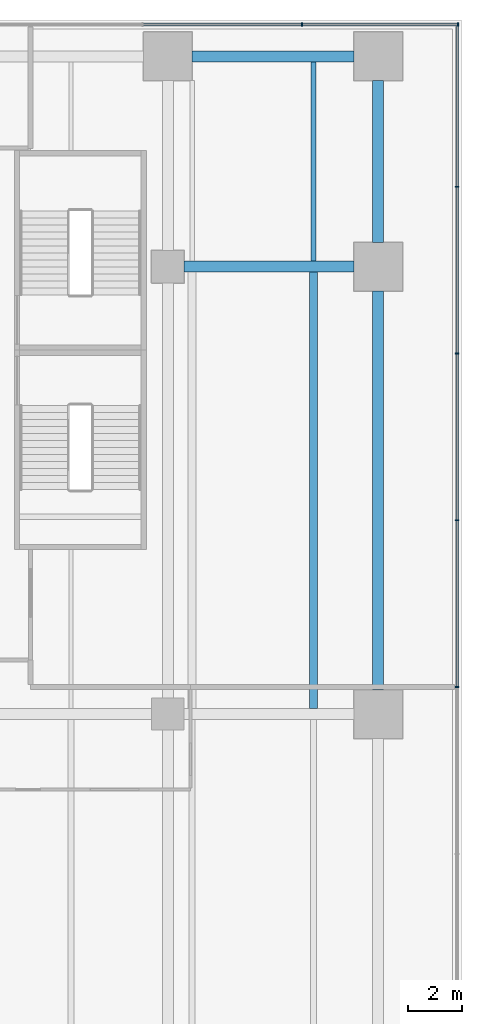
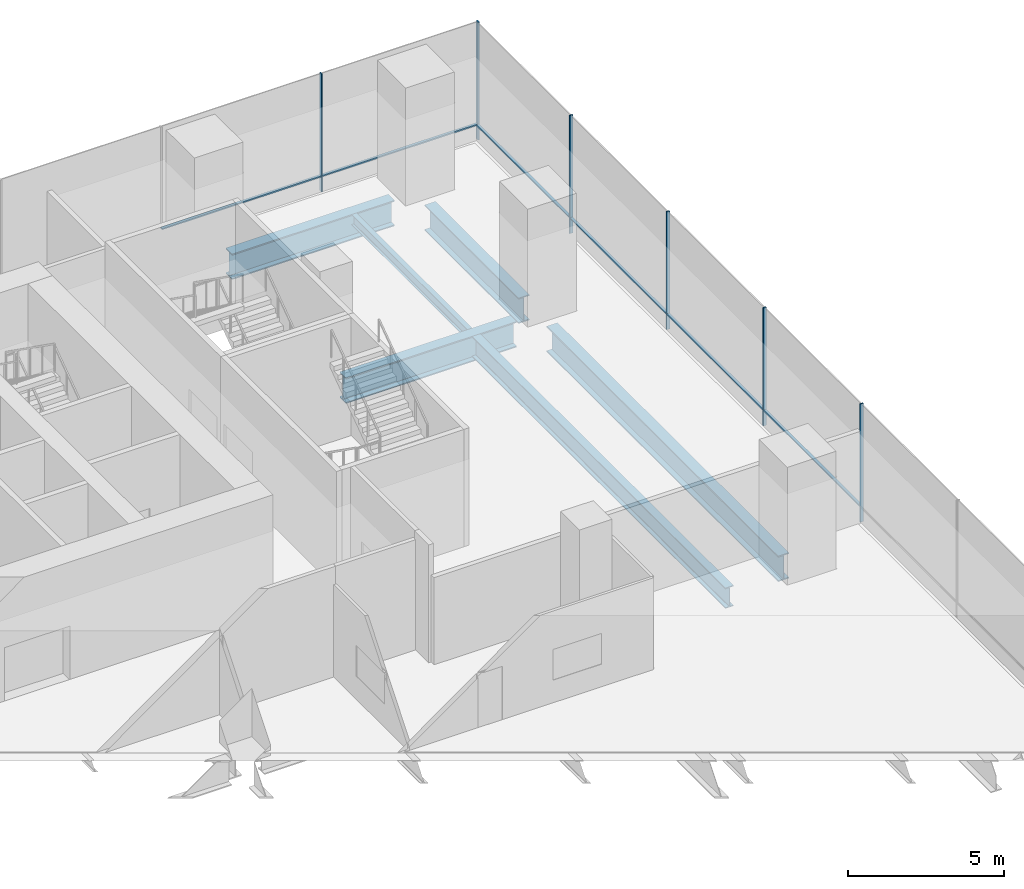
# One storey, part 16 of 29: 12 members, 6 beams, 2 elements without a shape of their own.
"""IFC4 building model written with IfcOpenShell, lengths in metres."""

from ifc_helpers import new_model, si_unit, direction, frame, origin, origin_2d, place, context, subcontext, project, spatial, rectangle, i_section, extrude, material, layer, layer_set, material_profile, profile_set, type_object, element, aggregate, save


model = new_model("IFC4")

# Units and contexts
model_context = context("Model", 3, precision=1e-05, world=origin(), true_north=direction((0.0, 1.0)))
body_context = subcontext(model_context, "Body", "Model", "MODEL_VIEW")
ifc_project = project(units=[si_unit("LENGTHUNIT", "METRE"), si_unit("AREAUNIT", "SQUARE_METRE"), si_unit("VOLUMEUNIT", "CUBIC_METRE"), si_unit("PLANEANGLEUNIT", "RADIAN"), si_unit("MASSUNIT", "GRAM", prefix="KILO")], contexts=[model_context])

# Site, building, storey
site_placement = place(None, origin())
site = spatial("IfcSite", under=ifc_project, at=site_placement, CompositionType="ELEMENT")
building_placement = place(site_placement, origin())
building = spatial("IfcBuilding", under=site, at=building_placement, Name="Rattan Terrace Tower", CompositionType="ELEMENT")
storey_placement = place(building_placement, frame((0.0, 0.0, 12.60009765625)))
storey = spatial("IfcBuildingStorey", under=building, at=storey_placement, Name="L02", CompositionType="ELEMENT", Elevation=12.60009765625)

# Beams
ifc_material_1 = material(Name="Steel S355", Category="steel")
ifc_material_profile_1 = material_profile(ifc_material_1, i_section(OverallWidth=0.300048828125, OverallDepth=0.800048828125, WebThickness=0.017578125, FlangeThickness=0.032958984375, FilletRadius=0.030029296875, at=origin_2d()), Name="HE 800 B")
ifc_profile_set_1 = profile_set([ifc_material_profile_1], Name="Steel S355")
beam_type_1 = type_object("IfcBeamType", Name="Frame floor beam HE 800 B", PredefinedType="JOIST", material=ifc_profile_set_1)
beam_1_placement = place(storey_placement, frame((31.5, -13.300048828125, -0.60009765625), z_axis=(0.0, 1.0, 0.0), x_axis=(-1.0, 0.0, 0.0)))
element("IfcBeam", 1, at=beam_1_placement, inside=storey, type_object=beam_type_1, Name="bm-L02-038", PredefinedType="JOIST", context=body_context, shape_type="SweptSolid", body=[
    extrude(i_section(OverallWidth=0.300048828125, OverallDepth=0.800048828125, WebThickness=0.017578125, FlangeThickness=0.032958984375, FilletRadius=0.030029296875, at=origin_2d()), origin(), (0.0, 0.0, 1.0), 16.199951171875),
])
ifc_material_2 = material(Name="Steel S355", Category="steel")
ifc_material_profile_2 = material_profile(ifc_material_2, i_section(OverallWidth=0.179931640625, OverallDepth=0.39990234375, WebThickness=0.008544921875, FlangeThickness=0.013427734375, FilletRadius=0.02099609375, at=origin_2d()), Name="IPE 400")
ifc_profile_set_2 = profile_set([ifc_material_profile_2], Name="Steel S355")
beam_type_2 = type_object("IfcBeamType", Name="Frame floor beam IPE 400", PredefinedType="JOIST", material=ifc_profile_set_2)
beam_2_placement = place(storey_placement, frame((31.5, 3.300048828125, -0.400146484375), z_axis=(0.0, 1.0, 0.0), x_axis=(-1.0, 0.0, 0.0)))
element("IfcBeam", 2, at=beam_2_placement, inside=storey, type_object=beam_type_2, Name="bm-L02-042", PredefinedType="JOIST", context=body_context, shape_type="SweptSolid", body=[
    extrude(i_section(OverallWidth=0.179931640625, OverallDepth=0.39990234375, WebThickness=0.008544921875, FlangeThickness=0.013427734375, FilletRadius=0.02099609375, at=origin_2d()), origin(), (0.0, 0.0, 1.0), 7.39990234375),
])
ifc_material_3 = material(Name="Steel S460", Category="steel")
ifc_material_profile_3 = material_profile(ifc_material_3, i_section(OverallWidth=0.39990234375, OverallDepth=1.0, WebThickness=0.01806640625, FlangeThickness=0.044921875, at=origin_2d()), Name="PG 1000x400-18-45")
ifc_profile_set_3 = profile_set([ifc_material_profile_3], Name="Steel S460")
beam_type_3 = type_object("IfcBeamType", Name="Frame podium girder PG 1000x400-18-45", PredefinedType="USERDEFINED", material=ifc_profile_set_3)
beam_3_placement = place(storey_placement, frame((33.89990234375, -12.60009765625, -0.7001953125), z_axis=(0.0, 1.0, 0.0), x_axis=(-1.0, 0.0, 0.0)))
element("IfcBeam", 3, at=beam_3_placement, inside=storey, type_object=beam_type_3, Name="gdr-L02-039", ObjectType="PODIUM GIRDER", PredefinedType="USERDEFINED", context=body_context, shape_type="SweptSolid", body=[
    extrude(i_section(OverallWidth=0.39990234375, OverallDepth=1.0, WebThickness=0.01806640625, FlangeThickness=0.044921875, at=origin_2d()), origin(), (0.0, 0.0, 1.0), 14.800048828125),
])
beam_4_placement = place(storey_placement, frame((26.699951171875, 3.10009765625, -0.7001953125), z_axis=(1.0, 0.0, 0.0), x_axis=(0.0, 1.0, 0.0)))
element("IfcBeam", 4, at=beam_4_placement, inside=storey, type_object=beam_type_3, Name="gdr-L02-041", ObjectType="PODIUM GIRDER", PredefinedType="USERDEFINED", context=body_context, shape_type="SweptSolid", body=[
    extrude(i_section(OverallWidth=0.39990234375, OverallDepth=1.0, WebThickness=0.01806640625, FlangeThickness=0.044921875, at=origin_2d()), origin(), (0.0, 0.0, 1.0), 6.300048828125),
])
for number, where, z_axis, x_axis, name in (
    (5, (33.89990234375, 4.0, -0.7001953125), (0.0, 1.0, 0.0), (-1.0, 0.0, 0.0), "gdr-L02-045"),
    (6, (27.0, 10.89990234375, -0.7001953125), (1.0, 0.0, 0.0), (0.0, 1.0, 0.0), "gdr-L02-051"),
):
    element("IfcBeam", number, at=place(storey_placement, frame(where, z_axis=z_axis, x_axis=x_axis)), inside=storey, type_object=beam_type_3, Name=name, ObjectType="PODIUM GIRDER", PredefinedType="USERDEFINED", context=body_context, shape_type="SweptSolid", body=[
        extrude(i_section(OverallWidth=0.39990234375, OverallDepth=1.0, WebThickness=0.01806640625, FlangeThickness=0.044921875, at=origin_2d()), origin(), (0.0, 0.0, 1.0), 6.0),
    ])

# Curtain wall, members
ifc_material_4 = material(Name="Aluminium and glass", Category="aluminium")
ifc_layer = layer(ifc_material_4, 0.1201171875)
ifc_layer_set = layer_set([ifc_layer], Name="Station Storefront Curtain Wall")
curtain_wall_type = type_object("IfcCurtainWallType", Name="Station Storefront Curtain Wall", PredefinedType="NOTDEFINED", material=ifc_layer_set)
curtain_wall_1_placement = place(storey_placement, origin())
curtain_wall_1 = element("IfcCurtainWall", 7, at=curtain_wall_1_placement, inside=storey, type_object=curtain_wall_type, Name="Storefront curtain wall L02-1", PredefinedType="NOTDEFINED")
ifc_material_5 = material(Name="Aluminium", Category="aluminium")
ifc_material_profile_4 = material_profile(ifc_material_5, rectangle(XDim=0.050048828125, YDim=0.1201171875, at=origin_2d()), Name="Aluminium 50x120")
ifc_profile_set_4 = profile_set([ifc_material_profile_4], Name="Aluminium")
member_type_1 = type_object("IfcMemberType", Name="Storefront CW Mullion 50x120", PredefinedType="MULLION", material=ifc_profile_set_4)
member_1_placement = place(storey_placement, frame((36.830078125, -12.498046875, 0.0), z_axis=(0.0, 0.0, 1.0), x_axis=(0.0, 1.0, 0.0)))
member_1 = element("IfcMember", 8, at=member_1_placement, type_object=member_type_1, Name="Mullion cwl-L02-001.5", PredefinedType="MULLION", context=body_context, shape_type="SweptSolid", body=[
    extrude(rectangle(XDim=0.050048828125, YDim=0.1201171875, at=origin_2d()), origin(), (0.0, 0.0, 1.0), 4.599853515625),
])
member_2_placement = place(storey_placement, frame((36.830078125, -6.31005859375, 0.0), z_axis=(0.0, 0.0, 1.0), x_axis=(0.0, 1.0, 0.0)))
member_2 = element("IfcMember", 9, at=member_2_placement, type_object=member_type_1, Name="Mullion cwl-L02-001.6", PredefinedType="MULLION", context=body_context, shape_type="SweptSolid", body=[
    extrude(rectangle(XDim=0.050048828125, YDim=0.1201171875, at=origin_2d()), origin(), (0.0, 0.0, 1.0), 4.599853515625),
])
member_3_placement = place(storey_placement, frame((36.830078125, -0.1220703125, 0.0), z_axis=(0.0, 0.0, 1.0), x_axis=(0.0, 1.0, 0.0)))
member_3 = element("IfcMember", 10, at=member_3_placement, type_object=member_type_1, Name="Mullion cwl-L02-001.7", PredefinedType="MULLION", context=body_context, shape_type="SweptSolid", body=[
    extrude(rectangle(XDim=0.050048828125, YDim=0.1201171875, at=origin_2d()), origin(), (0.0, 0.0, 1.0), 4.599853515625),
])
member_4_placement = place(storey_placement, frame((36.830078125, 6.06591796875, 0.0), z_axis=(0.0, 0.0, 1.0), x_axis=(0.0, 1.0, 0.0)))
member_4 = element("IfcMember", 11, at=member_4_placement, type_object=member_type_1, Name="Mullion cwl-L02-001.8", PredefinedType="MULLION", context=body_context, shape_type="SweptSolid", body=[
    extrude(rectangle(XDim=0.050048828125, YDim=0.1201171875, at=origin_2d()), origin(), (0.0, 0.0, 1.0), 4.599853515625),
])

curtain_wall_2_placement = place(storey_placement, origin())
curtain_wall_2 = element("IfcCurtainWall", 12, at=curtain_wall_2_placement, inside=storey, type_object=curtain_wall_type, Name="Storefront curtain wall L02-2", PredefinedType="NOTDEFINED")
member_5_placement = place(storey_placement, frame((36.864990234375, 12.080078125, 0.0), z_axis=(0.0, 0.0, 1.0), x_axis=(-1.0, 0.0, 0.0)))
member_5 = element("IfcMember", 13, at=member_5_placement, type_object=member_type_1, Name="Mullion cwl-L02-002.1", PredefinedType="MULLION", context=body_context, shape_type="SweptSolid", body=[
    extrude(rectangle(XDim=0.050048828125, YDim=0.1201171875, at=origin_2d()), origin(), (0.0, 0.0, 1.0), 4.599853515625),
])
member_6_placement = place(storey_placement, frame((31.080078125, 12.080078125, 0.0), z_axis=(0.0, 0.0, 1.0), x_axis=(-1.0, 0.0, 0.0)))
member_6 = element("IfcMember", 14, at=member_6_placement, type_object=member_type_1, Name="Mullion cwl-L02-002.2", PredefinedType="MULLION", context=body_context, shape_type="SweptSolid", body=[
    extrude(rectangle(XDim=0.050048828125, YDim=0.1201171875, at=origin_2d()), origin(), (0.0, 0.0, 1.0), 4.599853515625),
])

# Member
ifc_material_6 = material(Name="Aluminium", Category="aluminium")
ifc_material_profile_5 = material_profile(ifc_material_6, rectangle(XDim=0.10009765625, YDim=0.050048828125, at=origin_2d()), Name="Aluminium 100x50")
ifc_profile_set_5 = profile_set([ifc_material_profile_5], Name="Aluminium")
member_type_2 = type_object("IfcMemberType", Name="Storefront CW Transom 100x50", PredefinedType="USERDEFINED", material=ifc_profile_set_5)
member_7_placement = place(storey_placement, frame((36.830078125, -12.472900390625, 0.599853515625), z_axis=(0.0, 1.0, 0.0), x_axis=(-1.0, 0.0, 0.0)))
member_7 = element("IfcMember", 15, at=member_7_placement, type_object=member_type_2, Name="Transom cwl-L02-001.5", ObjectType="TRANSOM", PredefinedType="USERDEFINED", context=body_context, shape_type="SweptSolid", body=[
    extrude(rectangle(XDim=0.10009765625, YDim=0.050048828125, at=origin_2d()), origin(), (0.0, 0.0, 1.0), 6.137939453125),
])

member_8_placement = place(storey_placement, frame((36.830078125, -6.284912109375, 0.599853515625), z_axis=(0.0, 1.0, 0.0), x_axis=(-1.0, 0.0, 0.0)))
member_8 = element("IfcMember", 16, at=member_8_placement, type_object=member_type_2, Name="Transom cwl-L02-001.6", ObjectType="TRANSOM", PredefinedType="USERDEFINED", context=body_context, shape_type="SweptSolid", body=[
    extrude(rectangle(XDim=0.10009765625, YDim=0.050048828125, at=origin_2d()), origin(), (0.0, 0.0, 1.0), 6.137939453125),
])

member_9_placement = place(storey_placement, frame((36.830078125, -0.096923828125, 0.599853515625), z_axis=(0.0, 1.0, 0.0), x_axis=(-1.0, 0.0, 0.0)))
member_9 = element("IfcMember", 17, at=member_9_placement, type_object=member_type_2, Name="Transom cwl-L02-001.7", ObjectType="TRANSOM", PredefinedType="USERDEFINED", context=body_context, shape_type="SweptSolid", body=[
    extrude(rectangle(XDim=0.10009765625, YDim=0.050048828125, at=origin_2d()), origin(), (0.0, 0.0, 1.0), 6.137939453125),
])

member_10_placement = place(storey_placement, frame((36.830078125, 6.091064453125, 0.599853515625), z_axis=(0.0, 1.0, 0.0), x_axis=(-1.0, 0.0, 0.0)))
member_10 = element("IfcMember", 18, at=member_10_placement, type_object=member_type_2, Name="Transom cwl-L02-001.8", ObjectType="TRANSOM", PredefinedType="USERDEFINED", context=body_context, shape_type="SweptSolid", body=[
    extrude(rectangle(XDim=0.10009765625, YDim=0.050048828125, at=origin_2d()), origin(), (0.0, 0.0, 1.0), 5.928955078125),
])

aggregate(curtain_wall_1, [member_1, member_2, member_3, member_4, member_7, member_8, member_9, member_10])

member_11_placement = place(storey_placement, frame((36.840087890625, 12.080078125, 0.599853515625), z_axis=(-1.0, 0.0, 0.0), x_axis=(0.0, -1.0, 0.0)))
member_11 = element("IfcMember", 19, at=member_11_placement, type_object=member_type_2, Name="Transom cwl-L02-002.1", ObjectType="TRANSOM", PredefinedType="USERDEFINED", context=body_context, shape_type="SweptSolid", body=[
    extrude(rectangle(XDim=0.10009765625, YDim=0.050048828125, at=origin_2d()), origin(), (0.0, 0.0, 1.0), 5.735107421875),
])

member_12_placement = place(storey_placement, frame((31.054931640625, 12.080078125, 0.599853515625), z_axis=(-1.0, 0.0, 0.0), x_axis=(0.0, -1.0, 0.0)))
member_12 = element("IfcMember", 20, at=member_12_placement, type_object=member_type_2, Name="Transom cwl-L02-002.2", ObjectType="TRANSOM", PredefinedType="USERDEFINED", context=body_context, shape_type="SweptSolid", body=[
    extrude(rectangle(XDim=0.10009765625, YDim=0.050048828125, at=origin_2d()), origin(), (0.0, 0.0, 1.0), 5.869873046875),
])

aggregate(curtain_wall_2, [member_5, member_6, member_11, member_12])

save(model, "model.ifc")
